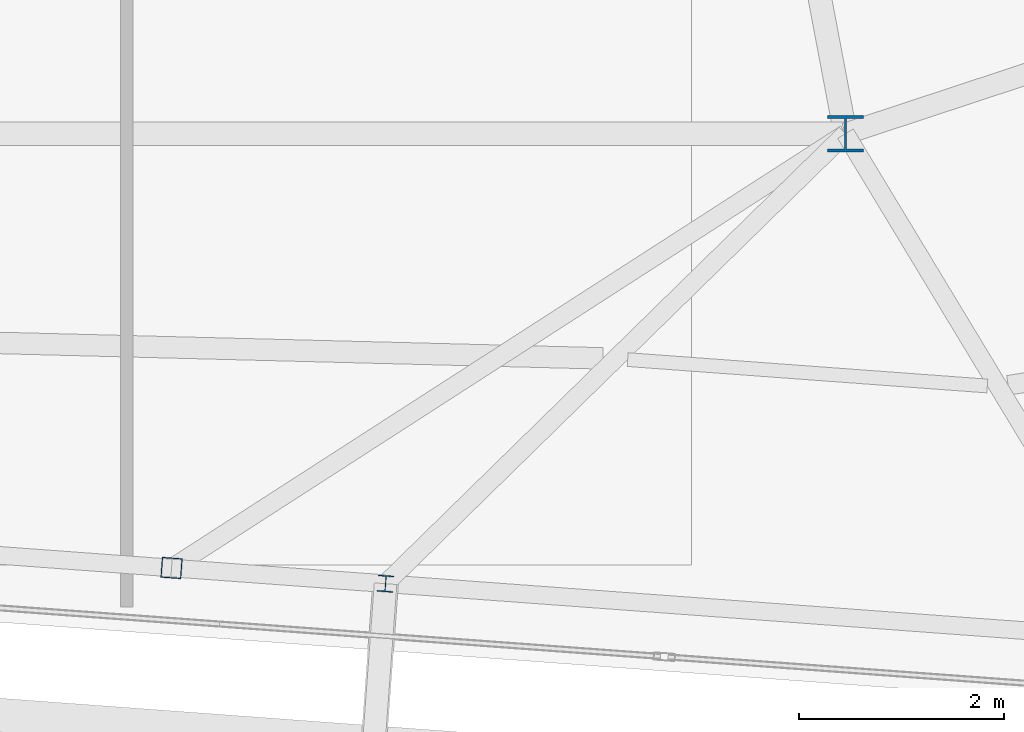
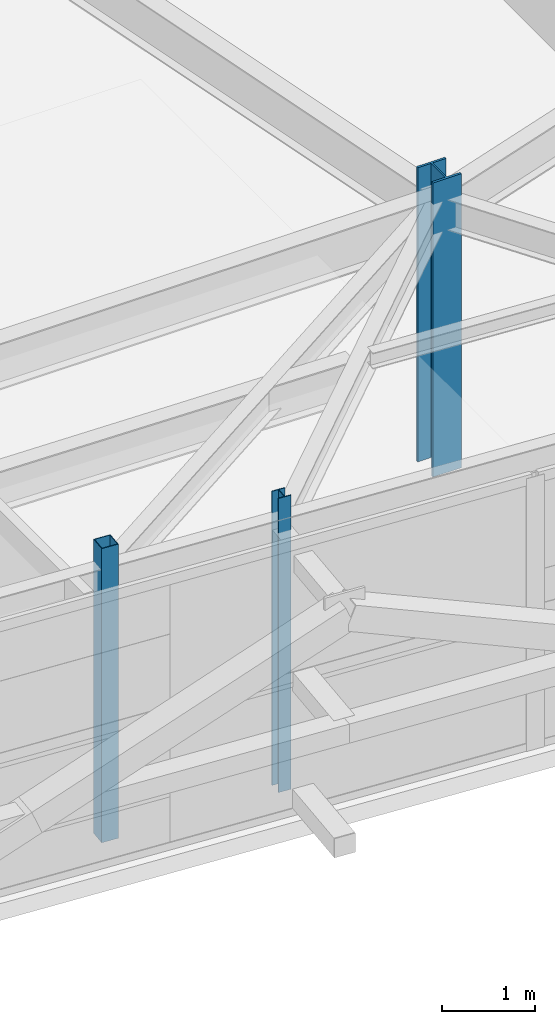
# One storey, part 2 of 35: 3 columns.
"""IFC4 building model written with IfcOpenShell, lengths in metres."""

from ifc_helpers import new_model, si_unit, direction, frame, origin, origin_2d, place, context, subcontext, project, spatial, hollow_rectangle, i_section, extrude, source, transform, mapped, material, material_profile, profile_set, type_object, element, save


model = new_model("IFC4")

# Units and contexts
model_context = context("Model", 3, precision=1e-05, world=origin(), true_north=direction((0.0, 1.0)))
body_context = subcontext(model_context, "Body", "Model", "MODEL_VIEW")
ifc_project = project(units=[si_unit("LENGTHUNIT", "METRE"), si_unit("AREAUNIT", "SQUARE_METRE"), si_unit("VOLUMEUNIT", "CUBIC_METRE"), si_unit("PLANEANGLEUNIT", "RADIAN"), si_unit("MASSUNIT", "GRAM", prefix="KILO")], contexts=[model_context])

# Site, building, storey
site_placement = place(None, origin())
site = spatial("IfcSite", under=ifc_project, at=site_placement, CompositionType="ELEMENT")
building_placement = place(site_placement, origin())
building = spatial("IfcBuilding", under=site, at=building_placement, Name="Taldren Reach Tower", CompositionType="ELEMENT")
storey_placement = place(building_placement, frame((0.0, 0.0, 249.199951171875)))
storey = spatial("IfcBuildingStorey", under=building, at=storey_placement, Name="L76", CompositionType="ELEMENT", Elevation=249.199951171875)

# Columns
ifc_material_1 = material(Name="Steel Gr 350 (350PLUS)", Category="steel")
ifc_material_profile_1 = material_profile(ifc_material_1, i_section(OverallWidth=0.35009765625, OverallDepth=0.35595703125, WebThickness=0.01806640625, FlangeThickness=0.028076171875, at=origin_2d()), Name="350WC197")
ifc_profile_set_1 = profile_set([ifc_material_profile_1], Name="Steel Gr 350 (350PLUS)")
column_type_1 = type_object("IfcColumnType", Name="COL-WC350", PredefinedType="COLUMN", material=ifc_profile_set_1)
shared_shape_1 = source(origin(), body_context, "Body", "SweptSolid", [
    extrude(i_section(OverallWidth=0.35009765625, OverallDepth=0.35595703125, WebThickness=0.01806640625, FlangeThickness=0.028076171875, at=origin_2d()), origin(), (0.0, 0.0, 1.0), 3.85009765625),
])
column_1_placement = place(storey_placement, frame((42.0, 9.199951171875, 0.0), z_axis=(0.0, 0.0, 1.0), x_axis=(1.0, 0.0, 0.0)))
element("IfcColumn", 1, at=column_1_placement, inside=storey, type_object=column_type_1, Name="Mega column MC-PJE L76", PredefinedType="COLUMN", context=body_context, shape_type="MappedRepresentation", body=[
    mapped(shared_shape_1, transform((0.0, 0.0, 0.0), scale=1.0)),
])
ifc_material_2 = material(Name="Steel Gr 350 (C350L0)", Category="steel")
ifc_material_profile_2 = material_profile(ifc_material_2, hollow_rectangle(XDim=0.199951171875, YDim=0.199951171875, WallThickness=0.009033203125, at=origin_2d()), Name="200x200x9.0SHS")
ifc_profile_set_2 = profile_set([ifc_material_profile_2], Name="Steel Gr 350 (C350L0)")
column_type_2 = type_object("IfcColumnType", Name="COL-SHS200", PredefinedType="COLUMN", material=ifc_profile_set_2)
shared_shape_2 = source(origin(), body_context, "Body", "SweptSolid", [
    extrude(hollow_rectangle(XDim=0.199951171875, YDim=0.199951171875, WallThickness=0.009033203125, at=origin_2d()), origin(), (0.0, 0.0, 1.0), 3.85009765625),
])
column_2_placement = place(storey_placement, frame((35.43603515625, 4.9697265625, 0.0), z_axis=(0.0, 0.0, 1.0), x_axis=(0.997314477224, -0.073238197128, 0.0)))
element("IfcColumn", 2, at=column_2_placement, inside=storey, type_object=column_type_2, Name="Block B5 perimeter column PJ2 L76", PredefinedType="COLUMN", context=body_context, shape_type="MappedRepresentation", body=[
    mapped(shared_shape_2, transform((0.0, 0.0, 0.0), scale=1.0)),
])
ifc_material_profile_3 = material_profile(ifc_material_1, i_section(OverallWidth=0.154052734375, OverallDepth=0.162109375, WebThickness=0.008056640625, FlangeThickness=0.011474609375, at=origin_2d()), Name="150UC37.2")
ifc_profile_set_3 = profile_set([ifc_material_profile_3], Name="Steel Gr 350 (350PLUS)")
column_type_3 = type_object("IfcColumnType", Name="COL-UC150", PredefinedType="COLUMN", material=ifc_profile_set_3)
shared_shape_3 = source(origin(), body_context, "Body", "SweptSolid", [
    extrude(i_section(OverallWidth=0.154052734375, OverallDepth=0.162109375, WebThickness=0.008056640625, FlangeThickness=0.011474609375, at=origin_2d()), origin(), (0.0, 0.0, 1.0), 3.85009765625),
])
column_3_placement = place(storey_placement, frame((37.5205078125, 4.81689453125, 0.0), z_axis=(0.0, 0.0, 1.0), x_axis=(0.997314477224, -0.073238197128, 0.0)))
element("IfcColumn", 3, at=column_3_placement, inside=storey, type_object=column_type_3, Name="Block B5 perimeter column S4 L76", PredefinedType="COLUMN", context=body_context, shape_type="MappedRepresentation", body=[
    mapped(shared_shape_3, transform((0.0, 0.0, 0.0), scale=1.0)),
])

save(model, "model.ifc")
